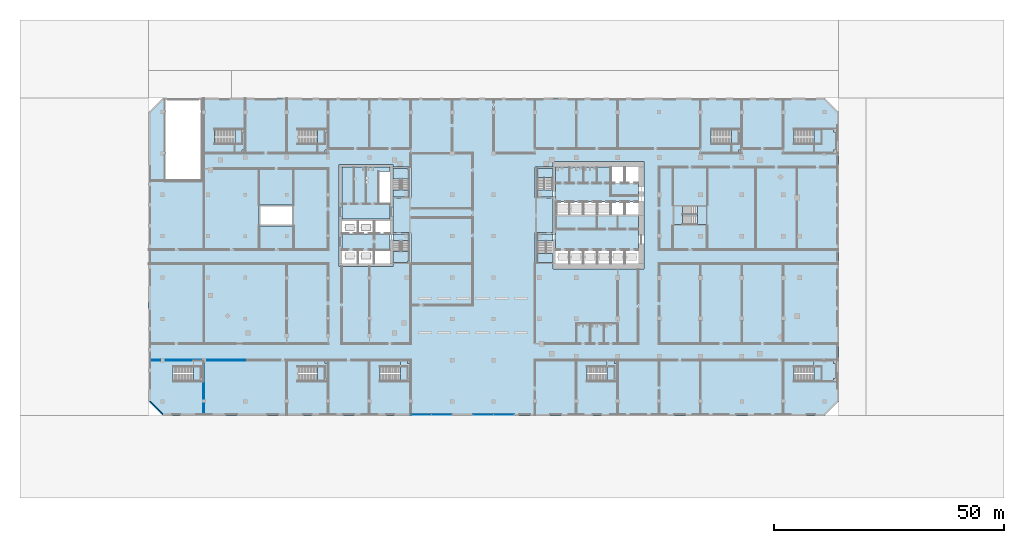
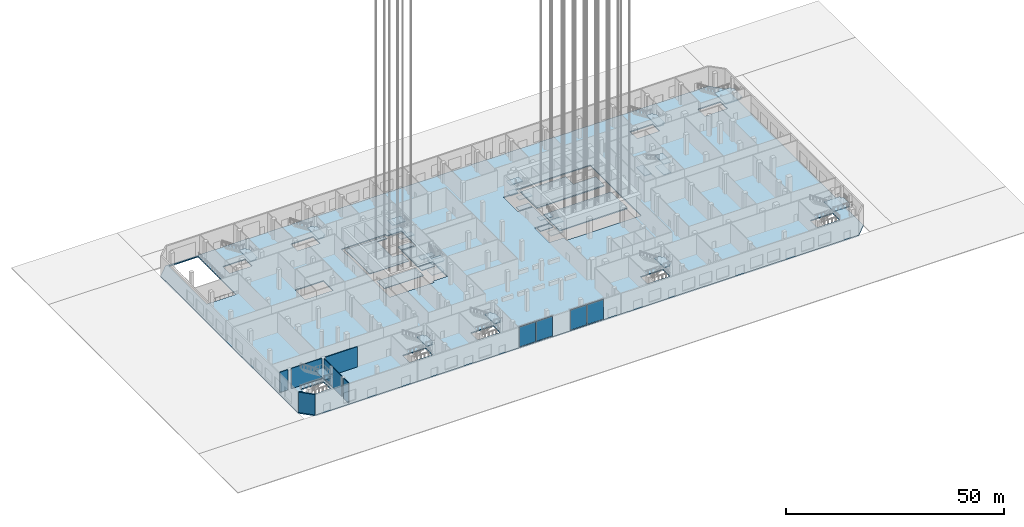
# One storey, part 32 of 55: 33 slabs, 6 walls, 4 plates, 16 elements without a shape of their own.
"""IFC4 building model written with IfcOpenShell, lengths in metres."""

from ifc_helpers import new_model, si_unit, direction, frame, frame_2d, origin, origin_2d, place, context, subcontext, project, spatial, polyline, rectangle, outline, extrude, material, layer, layer_set, type_object, element, aggregate, save


model = new_model("IFC4")

# Units and contexts
model_context = context("Model", 3, precision=1e-05, world=origin(), true_north=direction((0.0, 1.0)))
body_context = subcontext(model_context, "Body", "Model", "MODEL_VIEW")
ifc_project = project(units=[si_unit("LENGTHUNIT", "METRE"), si_unit("AREAUNIT", "SQUARE_METRE"), si_unit("VOLUMEUNIT", "CUBIC_METRE"), si_unit("PLANEANGLEUNIT", "RADIAN"), si_unit("MASSUNIT", "GRAM", prefix="KILO")], contexts=[model_context])

# Site, building, storey
site_placement = place(None, origin())
site = spatial("IfcSite", under=ifc_project, at=site_placement, CompositionType="ELEMENT")
building_placement = place(site_placement, origin())
building = spatial("IfcBuilding", under=site, at=building_placement, Name="Cinnabar Reach Civic Tower", CompositionType="ELEMENT")
storey_placement = place(building_placement, origin())
storey = spatial("IfcBuildingStorey", under=building, at=storey_placement, Name="L00", CompositionType="ELEMENT", Elevation=0.0)

# Curtain wall, plates
ifc_material_1 = material(Name="Aluminium and clear double glazing", Category="aluminium")
curtain_wall_type = type_object("IfcCurtainWallType", Name="Hall front curtain wall", PredefinedType="NOTDEFINED", material=ifc_material_1)
curtain_wall_1_placement = place(storey_placement, origin())
curtain_wall_1 = element("IfcCurtainWall", 1, at=curtain_wall_1_placement, inside=storey, type_object=curtain_wall_type, Name="Hall front 1", PredefinedType="NOTDEFINED")
ifc_material_2 = material(Name="Clear double glazing", Category="glass")
ifc_layer_1 = layer(ifc_material_2, 0.028)
ifc_layer_set_1 = layer_set([ifc_layer_1], Name="Hall front glazing panel")
plate_type = type_object("IfcPlateType", Name="Hall front glazing panel", PredefinedType="CURTAIN_PANEL", material=ifc_layer_set_1)
plate_1_placement = place(storey_placement, frame((-24.735, -11.82, 0.06), z_axis=(0.0, 0.0, 1.0), x_axis=(1.0, 0.0, 0.0)))
plate_1 = element("IfcPlate", 2, at=plate_1_placement, type_object=plate_type, Name="CW-HALL-1 panel 1.1", PredefinedType="CURTAIN_PANEL", context=body_context, shape_type="SweptSolid", body=[
    extrude(rectangle(XDim=4.41, YDim=0.028, at=origin_2d()), origin(), (0.0, 0.0, 1.0), 5.58),
])
plate_2_placement = place(storey_placement, frame((-20.265, -11.82, 0.06), z_axis=(0.0, 0.0, 1.0), x_axis=(1.0, 0.0, 0.0)))
plate_2 = element("IfcPlate", 3, at=plate_2_placement, type_object=plate_type, Name="CW-HALL-1 panel 2.1", PredefinedType="CURTAIN_PANEL", context=body_context, shape_type="SweptSolid", body=[
    extrude(rectangle(XDim=4.41, YDim=0.028, at=origin_2d()), origin(), (0.0, 0.0, 1.0), 5.58),
])
aggregate(curtain_wall_1, [plate_1, plate_2])

curtain_wall_2_placement = place(storey_placement, origin())
curtain_wall_2 = element("IfcCurtainWall", 4, at=curtain_wall_2_placement, inside=storey, type_object=curtain_wall_type, Name="Hall front 2", PredefinedType="NOTDEFINED")
plate_3_placement = place(storey_placement, frame((-11.235, -11.82, 0.06), z_axis=(0.0, 0.0, 1.0), x_axis=(1.0, 0.0, 0.0)))
plate_3 = element("IfcPlate", 5, at=plate_3_placement, type_object=plate_type, Name="CW-HALL-2 panel 1.1", PredefinedType="CURTAIN_PANEL", context=body_context, shape_type="SweptSolid", body=[
    extrude(rectangle(XDim=4.41, YDim=0.028, at=origin_2d()), origin(), (0.0, 0.0, 1.0), 5.58),
])
plate_4_placement = place(storey_placement, frame((-6.765, -11.82, 0.06), z_axis=(0.0, 0.0, 1.0), x_axis=(1.0, 0.0, 0.0)))
plate_4 = element("IfcPlate", 6, at=plate_4_placement, type_object=plate_type, Name="CW-HALL-2 panel 2.1", PredefinedType="CURTAIN_PANEL", context=body_context, shape_type="SweptSolid", body=[
    extrude(rectangle(XDim=4.41, YDim=0.028, at=origin_2d()), origin(), (0.0, 0.0, 1.0), 5.58),
])
aggregate(curtain_wall_2, [plate_3, plate_4])

# Stair, slab
ifc_material_3 = material(Name="Concrete C35", Category="concrete")
stair_type_1 = type_object("IfcStairType", Name="Podium exit stair 1500", PredefinedType="HALF_TURN_STAIR", material=ifc_material_3)
stair_1_placement = place(storey_placement, origin())
stair_1 = element("IfcStair", 7, at=stair_1_placement, inside=storey, type_object=stair_type_1, Name="Stair PS1", PredefinedType="HALF_TURN_STAIR")
ifc_material_4 = material(Name="Concrete C35/45", Category="concrete")
ifc_layer_2 = layer(ifc_material_4, 0.25)
ifc_layer_set_2 = layer_set([ifc_layer_2], Name="Podium exit stair landing 250")
slab_type_1 = type_object("IfcSlabType", Name="Podium exit stair landing 250", PredefinedType="LANDING", material=ifc_layer_set_2)
slab_1_placement = place(storey_placement, frame((0.0, 0.0, 2.75)))
slab_1 = element("IfcSlab", 8, at=slab_1_placement, type_object=slab_type_1, Name="PS1 landing 1", PredefinedType="LANDING", context=body_context, shape_type="SweptSolid", body=[
    extrude(outline(polyline([(-74.29, -4.55), (-74.29, -0.1), (-72.1, -0.1), (-72.1, -3.95), (-72.7, -3.95), (-72.7, -4.55), (-74.29, -4.55)])), origin(), (0.0, 0.0, 1.0), 0.25),
])
aggregate(stair_1, [slab_1])

stair_2_placement = place(storey_placement, origin())
stair_2 = element("IfcStair", 9, at=stair_2_placement, inside=storey, type_object=stair_type_1, Name="Stair PS2", PredefinedType="HALF_TURN_STAIR")
slab_2_placement = place(storey_placement, frame((0.0, 0.0, 2.75)))
slab_2 = element("IfcSlab", 10, at=slab_2_placement, type_object=slab_type_1, Name="PS2 landing 1", PredefinedType="LANDING", context=body_context, shape_type="SweptSolid", body=[
    extrude(outline(polyline([(-63.1, 45.7), (-63.7, 45.7), (-63.7, 45.1), (-65.29, 45.1), (-65.29, 50.25), (-63.7, 50.25), (-63.7, 49.65), (-63.1, 49.65), (-63.1, 45.7)])), origin(), (0.0, 0.0, 1.0), 0.25),
])
aggregate(stair_2, [slab_2])

stair_3_placement = place(storey_placement, origin())
stair_3 = element("IfcStair", 11, at=stair_3_placement, inside=storey, type_object=stair_type_1, Name="Stair PS3", PredefinedType="HALF_TURN_STAIR")
slab_3_placement = place(storey_placement, frame((0.0, 0.0, 2.75)))
slab_3 = element("IfcSlab", 12, at=slab_3_placement, type_object=slab_type_1, Name="PS3 landing 1", PredefinedType="LANDING", context=body_context, shape_type="SweptSolid", body=[
    extrude(outline(polyline([(17.9, -3.95), (17.3, -3.95), (17.3, -4.55), (15.71, -4.55), (15.71, -0.1), (17.3, -0.1), (17.3, -0.7), (17.9, -0.7), (17.9, -3.95)])), origin(), (0.0, 0.0, 1.0), 0.25),
])
aggregate(stair_3, [slab_3])

stair_4_placement = place(storey_placement, origin())
stair_4 = element("IfcStair", 13, at=stair_4_placement, inside=storey, type_object=stair_type_1, Name="Stair PS4", PredefinedType="HALF_TURN_STAIR")
slab_4_placement = place(storey_placement, frame((0.0, 0.0, 2.75)))
slab_4 = element("IfcSlab", 14, at=slab_4_placement, type_object=slab_type_1, Name="PS4 landing 1", PredefinedType="LANDING", context=body_context, shape_type="SweptSolid", body=[
    extrude(outline(polyline([(65.5, -3.95), (64.9, -3.95), (64.9, -4.55), (60.71, -4.55), (60.71, -0.1), (64.9, -0.1), (64.9, -0.7), (65.5, -0.7), (65.5, -3.95)])), origin(), (0.0, 0.0, 1.0), 0.25),
])
aggregate(stair_4, [slab_4])

stair_5_placement = place(storey_placement, origin())
stair_5 = element("IfcStair", 15, at=stair_5_placement, inside=storey, type_object=stair_type_1, Name="Stair PS5", PredefinedType="HALF_TURN_STAIR")
slab_5_placement = place(storey_placement, frame((0.0, 0.0, 2.75)))
slab_5 = element("IfcSlab", 16, at=slab_5_placement, type_object=slab_type_1, Name="PS5 landing 1", PredefinedType="LANDING", context=body_context, shape_type="SweptSolid", body=[
    extrude(outline(polyline([(65.5, 45.7), (64.9, 45.7), (64.9, 45.1), (60.71, 45.1), (60.71, 50.25), (64.9, 50.25), (64.9, 49.65), (65.5, 49.65), (65.5, 45.7)])), origin(), (0.0, 0.0, 1.0), 0.25),
])
aggregate(stair_5, [slab_5])

stair_6_placement = place(storey_placement, origin())
stair_6 = element("IfcStair", 17, at=stair_6_placement, inside=storey, type_object=stair_type_1, Name="Stair PS6", PredefinedType="HALF_TURN_STAIR")
slab_6_placement = place(storey_placement, frame((0.0, 0.0, 2.75)))
slab_6 = element("IfcSlab", 18, at=slab_6_placement, type_object=slab_type_1, Name="PS6 landing 1", PredefinedType="LANDING", context=body_context, shape_type="SweptSolid", body=[
    extrude(outline(polyline([(44.9, 45.7), (44.3, 45.7), (44.3, 45.1), (42.71, 45.1), (42.71, 50.25), (44.3, 50.25), (44.3, 49.65), (44.9, 49.65), (44.9, 45.7)])), origin(), (0.0, 0.0, 1.0), 0.25),
])
aggregate(stair_6, [slab_6])

stair_7_placement = place(storey_placement, origin())
stair_7 = element("IfcStair", 19, at=stair_7_placement, inside=storey, type_object=stair_type_1, Name="Stair PS7", PredefinedType="HALF_TURN_STAIR")
slab_7_placement = place(storey_placement, frame((0.0, 0.0, 2.75)))
slab_7 = element("IfcSlab", 20, at=slab_7_placement, type_object=slab_type_1, Name="PS7 landing 1", PredefinedType="LANDING", context=body_context, shape_type="SweptSolid", body=[
    extrude(outline(polyline([(-45.1, 45.7), (-45.7, 45.7), (-45.7, 45.1), (-47.29, 45.1), (-47.29, 50.25), (-45.7, 50.25), (-45.7, 49.65), (-45.1, 49.65), (-45.1, 45.7)])), origin(), (0.0, 0.0, 1.0), 0.25),
])
aggregate(stair_7, [slab_7])

stair_8_placement = place(storey_placement, origin())
stair_8 = element("IfcStair", 21, at=stair_8_placement, inside=storey, type_object=stair_type_1, Name="Stair PS8", PredefinedType="HALF_TURN_STAIR")
slab_8_placement = place(storey_placement, frame((0.0, 0.0, 2.75)))
slab_8 = element("IfcSlab", 22, at=slab_8_placement, type_object=slab_type_1, Name="PS8 landing 1", PredefinedType="LANDING", context=body_context, shape_type="SweptSolid", body=[
    extrude(outline(polyline([(-45.1, -3.95), (-45.7, -3.95), (-45.7, -4.55), (-47.29, -4.55), (-47.29, -0.1), (-45.7, -0.1), (-45.7, -0.7), (-45.1, -0.7), (-45.1, -3.95)])), origin(), (0.0, 0.0, 1.0), 0.25),
])
aggregate(stair_8, [slab_8])

stair_9_placement = place(storey_placement, origin())
stair_9 = element("IfcStair", 23, at=stair_9_placement, inside=storey, type_object=stair_type_1, Name="Stair PS9", PredefinedType="HALF_TURN_STAIR")
slab_9_placement = place(storey_placement, frame((0.0, 0.0, 2.75)))
slab_9 = element("IfcSlab", 24, at=slab_9_placement, type_object=slab_type_1, Name="PS9 landing 1", PredefinedType="LANDING", context=body_context, shape_type="SweptSolid", body=[
    extrude(outline(polyline([(-27.1, -3.95), (-27.7, -3.95), (-27.7, -4.55), (-29.29, -4.55), (-29.29, -0.1), (-27.7, -0.1), (-27.7, -0.7), (-27.1, -0.7), (-27.1, -3.95)])), origin(), (0.0, 0.0, 1.0), 0.25),
])
aggregate(stair_9, [slab_9])

# Slab
ifc_material_5 = material(Name="Concrete C40", Category="concrete")
ifc_layer_3 = layer(ifc_material_5, 0.3)
ifc_layer_set_3 = layer_set([ifc_layer_3], Name="Podium flat plate 300 REI 150")
slab_type_2 = type_object("IfcSlabType", Name="Podium flat plate 300 REI 150", PredefinedType="FLOOR", material=ifc_layer_set_3)
slab_10_placement = place(storey_placement, frame((0.0, 0.0, -0.3)))
element("IfcSlab", 25, at=slab_10_placement, inside=storey, type_object=slab_type_2, Name="Podium flat plate 300 L00", PredefinedType="FLOOR", context=body_context, shape_type="SweptSolid", body=[
    extrude(outline(polyline([(-84.0, -9.0), (-84.0, 54.0), (-81.0, 57.0), (63.0, 57.0), (66.0, 54.0), (66.0, -9.0), (63.0, -12.0), (-81.0, -12.0), (-84.0, -9.0)]), holes=[polyline([(-78.7, -1.3), (-78.7, -4.5), (-72.7, -4.5), (-72.7, -1.3), (-78.7, -1.3)]), polyline([(-45.7, -1.3), (-51.7, -1.3), (-51.7, -4.5), (-45.7, -4.5), (-45.7, -1.3)]), polyline([(-52.5, 33.75), (-60.0, 33.75), (-60.0, 29.25), (-52.5, 29.25), (-52.5, 33.75)]), polyline([(-30.9, 20.4), (-30.9, 21.0), (-27.0, 21.0), (-27.0, 27.75), (-30.9, 27.75), (-30.9, 35.25), (-27.0, 35.25), (-27.0, 42.0), (-30.9, 42.0), (-30.9, 42.6), (-42.6, 42.6), (-42.6, 20.4), (-30.9, 20.4)]), polyline([(-72.6, 56.6), (-80.4, 56.6), (-80.4, 39.0), (-72.6, 39.0), (-72.6, 56.6)]), polyline([(-63.7, 50.2), (-69.7, 50.2), (-69.7, 47.0), (-63.7, 47.0), (-63.7, 50.2)]), polyline([(-51.7, 50.2), (-51.7, 47.0), (-45.7, 47.0), (-45.7, 50.2), (-51.7, 50.2)]), polyline([(-27.7, -1.3), (-33.7, -1.3), (-33.7, -4.5), (-27.7, -4.5), (-27.7, -1.3)]), polyline([(17.3, -1.3), (11.3, -1.3), (11.3, -4.5), (17.3, -4.5), (17.3, -1.3)]), polyline([(62.3, -1.3), (56.3, -1.3), (56.3, -4.5), (62.3, -4.5), (62.3, -1.3)]), polyline([(3.9, 42.0), (0.0, 42.0), (0.0, 35.25), (3.9, 35.25), (3.9, 27.75), (0.0, 27.75), (0.0, 21.0), (3.9, 21.0), (3.9, 19.8), (23.7, 19.8), (23.7, 43.2), (3.9, 43.2), (3.9, 42.0)]), polyline([(44.3, 47.0), (44.3, 50.2), (38.3, 50.2), (38.3, 47.0), (44.3, 47.0)]), polyline([(62.3, 47.0), (62.3, 50.2), (56.3, 50.2), (56.3, 47.0), (62.3, 47.0)])]), origin(), (0.0, 0.0, 1.0), 0.3),
])

# Stair, slabs
ifc_material_6 = material(Name="Concrete C40/50", Category="concrete")
stair_type_2 = type_object("IfcStairType", Name="T1 Exit stair, double return", PredefinedType="DOUBLE_RETURN_STAIR", material=ifc_material_6)
stair_10_placement = place(storey_placement, origin())
stair_10 = element("IfcStair", 26, at=stair_10_placement, inside=storey, type_object=stair_type_2, Name="Stair T1-S1", PredefinedType="DOUBLE_RETURN_STAIR")
ifc_layer_4 = layer(ifc_material_6, 0.2)
ifc_layer_set_4 = layer_set([ifc_layer_4], Name="T1 Stair landing 200, Concrete C40/50")
slab_type_3 = type_object("IfcSlabType", Name="T1 Stair landing 200, Concrete C40/50", PredefinedType="LANDING", material=ifc_layer_set_4)
slab_11_placement = place(storey_placement, frame((0.0, 0.0, -0.2)))
slab_11 = element("IfcSlab", 27, at=slab_11_placement, type_object=slab_type_3, Name="T1-S1 landing 1", PredefinedType="LANDING", context=body_context, shape_type="SweptSolid", body=[
    extrude(outline(polyline([(3.9, 25.95), (3.9, 27.5), (0.5, 27.5), (0.5, 25.95), (3.9, 25.95)])), origin(), (0.0, 0.0, 1.0), 0.2),
])
slab_12_placement = place(storey_placement, frame((0.0, 0.0, 1.3)))
slab_12 = element("IfcSlab", 28, at=slab_12_placement, type_object=slab_type_3, Name="T1-S1 landing 2", PredefinedType="LANDING", context=body_context, shape_type="SweptSolid", body=[
    extrude(outline(polyline([(3.9, 21.25), (3.9, 23.205), (0.6, 23.205), (0.6, 21.25), (3.9, 21.25)])), origin(), (0.0, 0.0, 1.0), 0.2),
])
slab_13_placement = place(storey_placement, frame((0.0, 0.0, 2.8)))
slab_13 = element("IfcSlab", 29, at=slab_13_placement, type_object=slab_type_3, Name="T1-S1 landing 3", PredefinedType="LANDING", context=body_context, shape_type="SweptSolid", body=[
    extrude(outline(polyline([(3.9, 25.95), (3.9, 27.5), (0.5, 27.5), (0.5, 25.95), (3.9, 25.95)])), origin(), (0.0, 0.0, 1.0), 0.2),
])
slab_14_placement = place(storey_placement, frame((0.0, 0.0, 4.3)))
slab_14 = element("IfcSlab", 30, at=slab_14_placement, type_object=slab_type_3, Name="T1-S1 landing 4", PredefinedType="LANDING", context=body_context, shape_type="SweptSolid", body=[
    extrude(outline(polyline([(3.9, 21.25), (3.9, 23.205), (0.6, 23.205), (0.6, 21.25), (3.9, 21.25)])), origin(), (0.0, 0.0, 1.0), 0.2),
])
aggregate(stair_10, [slab_11, slab_12, slab_13, slab_14])

stair_11_placement = place(storey_placement, origin())
stair_11 = element("IfcStair", 31, at=stair_11_placement, inside=storey, type_object=stair_type_2, Name="Stair T1-S2", PredefinedType="DOUBLE_RETURN_STAIR")
slab_15_placement = place(storey_placement, frame((0.0, 0.0, -0.2)))
slab_15 = element("IfcSlab", 32, at=slab_15_placement, type_object=slab_type_3, Name="T1-S2 landing 1", PredefinedType="LANDING", context=body_context, shape_type="SweptSolid", body=[
    extrude(outline(polyline([(3.9, 35.5), (3.9, 37.05), (0.5, 37.05), (0.5, 35.5), (3.9, 35.5)])), origin(), (0.0, 0.0, 1.0), 0.2),
])
slab_16_placement = place(storey_placement, frame((0.0, 0.0, 1.3)))
slab_16 = element("IfcSlab", 33, at=slab_16_placement, type_object=slab_type_3, Name="T1-S2 landing 2", PredefinedType="LANDING", context=body_context, shape_type="SweptSolid", body=[
    extrude(outline(polyline([(3.9, 39.795), (3.9, 41.75), (0.6, 41.75), (0.6, 39.795), (3.9, 39.795)])), origin(), (0.0, 0.0, 1.0), 0.2),
])
slab_17_placement = place(storey_placement, frame((0.0, 0.0, 2.8)))
slab_17 = element("IfcSlab", 34, at=slab_17_placement, type_object=slab_type_3, Name="T1-S2 landing 3", PredefinedType="LANDING", context=body_context, shape_type="SweptSolid", body=[
    extrude(outline(polyline([(3.9, 35.5), (3.9, 37.05), (0.5, 37.05), (0.5, 35.5), (3.9, 35.5)])), origin(), (0.0, 0.0, 1.0), 0.2),
])
slab_18_placement = place(storey_placement, frame((0.0, 0.0, 4.3)))
slab_18 = element("IfcSlab", 35, at=slab_18_placement, type_object=slab_type_3, Name="T1-S2 landing 4", PredefinedType="LANDING", context=body_context, shape_type="SweptSolid", body=[
    extrude(outline(polyline([(3.9, 39.795), (3.9, 41.75), (0.6, 41.75), (0.6, 39.795), (3.9, 39.795)])), origin(), (0.0, 0.0, 1.0), 0.2),
])
aggregate(stair_11, [slab_15, slab_16, slab_17, slab_18])

stair_12_placement = place(storey_placement, origin())
stair_12 = element("IfcStair", 36, at=stair_12_placement, inside=storey, type_object=stair_type_2, Name="Stair T1-S3", PredefinedType="DOUBLE_RETURN_STAIR")
slab_19_placement = place(storey_placement, frame((0.0, 0.0, 1.3)))
slab_19 = element("IfcSlab", 37, at=slab_19_placement, type_object=slab_type_3, Name="T1-S3 landing 1", PredefinedType="LANDING", context=body_context, shape_type="SweptSolid", body=[
    extrude(outline(polyline([(35.29, 29.5), (37.25, 29.5), (37.25, 33.5), (35.29, 33.5), (35.29, 29.5)])), origin(), (0.0, 0.0, 1.0), 0.2),
])
slab_20_placement = place(storey_placement, frame((0.0, 0.0, 2.8)))
slab_20 = element("IfcSlab", 38, at=slab_20_placement, type_object=slab_type_3, Name="T1-S3 landing 2", PredefinedType="LANDING", context=body_context, shape_type="SweptSolid", body=[
    extrude(outline(polyline([(30.25, 29.5), (32.05, 29.5), (32.05, 33.5), (30.25, 33.5), (30.25, 29.5)])), origin(), (0.0, 0.0, 1.0), 0.2),
])
slab_21_placement = place(storey_placement, frame((0.0, 0.0, 4.3)))
slab_21 = element("IfcSlab", 39, at=slab_21_placement, type_object=slab_type_3, Name="T1-S3 landing 3", PredefinedType="LANDING", context=body_context, shape_type="SweptSolid", body=[
    extrude(outline(polyline([(35.29, 29.5), (37.25, 29.5), (37.25, 33.5), (35.29, 33.5), (35.29, 29.5)])), origin(), (0.0, 0.0, 1.0), 0.2),
])
aggregate(stair_12, [slab_19, slab_20, slab_21])

# Slabs
ifc_layer_5 = layer(ifc_material_6, 0.3)
ifc_layer_set_5 = layer_set([ifc_layer_5], Name="T1 core floor slab 300")
slab_type_4 = type_object("IfcSlabType", Name="T1 core floor slab 300", PredefinedType="FLOOR", material=ifc_layer_set_5)
slab_22_placement = place(storey_placement, frame((0.0, 0.0, -0.3)))
element("IfcSlab", 40, at=slab_22_placement, inside=storey, type_object=slab_type_4, Name="Core floor slab L00", PredefinedType="FLOOR", context=body_context, shape_type="SweptSolid", body=[
    extrude(outline(polyline([(22.5, 24.0), (19.5, 24.0), (16.5, 24.0), (13.5, 24.0), (10.5, 24.0), (7.5, 24.0), (4.5, 24.0), (4.5, 31.5), (7.5, 31.5), (10.5, 31.5), (13.5, 31.5), (16.5, 31.5), (19.5, 31.5), (22.5, 31.5), (22.5, 24.0)])), origin(), (0.0, 0.0, 1.0), 0.3),
])
slab_23_placement = place(storey_placement, frame((0.0, 0.0, -0.3)))
element("IfcSlab", 41, at=slab_23_placement, inside=storey, type_object=slab_type_4, Name="Core floor slab L00", PredefinedType="FLOOR", context=body_context, shape_type="SweptSolid", body=[
    extrude(outline(polyline([(22.5, 34.5), (19.5, 34.5), (16.5, 34.5), (13.5, 34.5), (10.5, 34.5), (7.5, 34.5), (4.5, 34.5), (4.5, 42.0), (16.5, 42.0), (16.5, 38.5), (19.5, 38.5), (22.5, 38.5), (22.5, 34.5)])), origin(), (0.0, 0.0, 1.0), 0.3),
])
ifc_layer_6 = layer(ifc_material_5, 0.15)
ifc_layer_set_6 = layer_set([ifc_layer_6], Name="T2 Core floor slab 150")
slab_type_5 = type_object("IfcSlabType", Name="T2 Core floor slab 150", PredefinedType="FLOOR", material=ifc_layer_set_6)
slab_24_placement = place(storey_placement, frame((0.0, 0.0, -0.15)))
element("IfcSlab", 42, at=slab_24_placement, inside=storey, type_object=slab_type_5, Name="Core floor slab L00", PredefinedType="FLOOR", context=body_context, shape_type="SweptSolid", body=[
    extrude(outline(polyline([(-42.0, 42.0), (-31.5, 42.0), (-31.5, 41.0), (-34.0, 41.0), (-34.0, 34.0), (-31.5, 34.0), (-31.5, 30.75), (-42.0, 30.75), (-42.0, 42.0)])), origin(), (0.0, 0.0, 1.0), 0.15),
])
slab_25_placement = place(storey_placement, frame((0.0, 0.0, -0.15)))
element("IfcSlab", 43, at=slab_25_placement, inside=storey, type_object=slab_type_5, Name="Core floor slab L00", PredefinedType="FLOOR", context=body_context, shape_type="SweptSolid", body=[
    extrude(outline(polyline([(-35.0, 24.0), (-38.5, 24.0), (-42.0, 24.0), (-42.0, 27.5), (-38.5, 27.5), (-35.0, 27.5), (-31.5, 27.5), (-31.5, 24.0), (-35.0, 24.0)])), origin(), (0.0, 0.0, 1.0), 0.15),
])

# Stair, slabs
stair_type_3 = type_object("IfcStairType", Name="T2 Exit stair 1500", PredefinedType="HALF_TURN_STAIR", material=ifc_material_5)
stair_13_placement = place(storey_placement, origin())
stair_13 = element("IfcStair", 44, at=stair_13_placement, inside=storey, type_object=stair_type_3, Name="Exit stair 1", PredefinedType="HALF_TURN_STAIR")
ifc_layer_7 = layer(ifc_material_5, 0.2)
ifc_layer_set_7 = layer_set([ifc_layer_7], Name="T2 Stair landing 200")
slab_type_6 = type_object("IfcSlabType", Name="T2 Stair landing 200", PredefinedType="LANDING", material=ifc_layer_set_7)
slab_26_placement = place(storey_placement, frame((0.0, 0.0, -0.2)))
slab_26 = element("IfcSlab", 45, at=slab_26_placement, type_object=slab_type_6, Name="ST1 landing 1", PredefinedType="LANDING", context=body_context, shape_type="SweptSolid", body=[
    extrude(outline(polyline([(-30.9, 26.0), (-30.9, 27.5), (-27.4, 27.5), (-27.4, 26.0), (-30.9, 26.0)])), origin(), (0.0, 0.0, 1.0), 0.2),
])
slab_27_placement = place(storey_placement, frame((0.0, 0.0, 1.3)))
slab_27 = element("IfcSlab", 46, at=slab_27_placement, type_object=slab_type_6, Name="ST1 landing 2", PredefinedType="LANDING", context=body_context, shape_type="SweptSolid", body=[
    extrude(outline(polyline([(-30.9, 21.25), (-30.9, 23.6), (-27.4, 23.6), (-27.4, 21.55), (-27.7, 21.55), (-27.7, 21.25), (-30.9, 21.25)])), origin(), (0.0, 0.0, 1.0), 0.2),
])
slab_28_placement = place(storey_placement, frame((0.0, 0.0, 2.8)))
slab_28 = element("IfcSlab", 47, at=slab_28_placement, type_object=slab_type_6, Name="ST1 landing 3", PredefinedType="LANDING", context=body_context, shape_type="SweptSolid", body=[
    extrude(outline(polyline([(-30.9, 26.0), (-30.9, 27.5), (-27.4, 27.5), (-27.4, 26.0), (-30.9, 26.0)])), origin(), (0.0, 0.0, 1.0), 0.2),
])
slab_29_placement = place(storey_placement, frame((0.0, 0.0, 4.3)))
slab_29 = element("IfcSlab", 48, at=slab_29_placement, type_object=slab_type_6, Name="ST1 landing 4", PredefinedType="LANDING", context=body_context, shape_type="SweptSolid", body=[
    extrude(outline(polyline([(-30.9, 21.25), (-30.9, 23.6), (-27.4, 23.6), (-27.4, 21.55), (-27.7, 21.55), (-27.7, 21.25), (-30.9, 21.25)])), origin(), (0.0, 0.0, 1.0), 0.2),
])
aggregate(stair_13, [slab_26, slab_27, slab_28, slab_29])

stair_14_placement = place(storey_placement, origin())
stair_14 = element("IfcStair", 49, at=stair_14_placement, inside=storey, type_object=stair_type_3, Name="Exit stair 2", PredefinedType="HALF_TURN_STAIR")
slab_30_placement = place(storey_placement, frame((0.0, 0.0, -0.2)))
slab_30 = element("IfcSlab", 50, at=slab_30_placement, type_object=slab_type_6, Name="ST2 landing 1", PredefinedType="LANDING", context=body_context, shape_type="SweptSolid", body=[
    extrude(outline(polyline([(-30.9, 35.5), (-30.9, 37.0), (-27.4, 37.0), (-27.4, 35.5), (-30.9, 35.5)])), origin(), (0.0, 0.0, 1.0), 0.2),
])
slab_31_placement = place(storey_placement, frame((0.0, 0.0, 1.3)))
slab_31 = element("IfcSlab", 51, at=slab_31_placement, type_object=slab_type_6, Name="ST2 landing 2", PredefinedType="LANDING", context=body_context, shape_type="SweptSolid", body=[
    extrude(outline(polyline([(-27.4, 39.4), (-30.9, 39.4), (-30.9, 41.75), (-27.7, 41.75), (-27.7, 41.45), (-27.4, 41.45), (-27.4, 39.4)])), origin(), (0.0, 0.0, 1.0), 0.2),
])
slab_32_placement = place(storey_placement, frame((0.0, 0.0, 2.8)))
slab_32 = element("IfcSlab", 52, at=slab_32_placement, type_object=slab_type_6, Name="ST2 landing 3", PredefinedType="LANDING", context=body_context, shape_type="SweptSolid", body=[
    extrude(outline(polyline([(-30.9, 35.5), (-30.9, 37.0), (-27.4, 37.0), (-27.4, 35.5), (-30.9, 35.5)])), origin(), (0.0, 0.0, 1.0), 0.2),
])
slab_33_placement = place(storey_placement, frame((0.0, 0.0, 4.3)))
slab_33 = element("IfcSlab", 53, at=slab_33_placement, type_object=slab_type_6, Name="ST2 landing 4", PredefinedType="LANDING", context=body_context, shape_type="SweptSolid", body=[
    extrude(outline(polyline([(-27.4, 39.4), (-30.9, 39.4), (-30.9, 41.75), (-27.7, 41.75), (-27.7, 41.45), (-27.4, 41.45), (-27.4, 39.4)])), origin(), (0.0, 0.0, 1.0), 0.2),
])
aggregate(stair_14, [slab_30, slab_31, slab_32, slab_33])

# Walls
ifc_material_7 = material(Name="Facing brick with insulated backing", Category="masonry")
ifc_layer_8 = layer(ifc_material_7, 0.36)
ifc_layer_set_8 = layer_set([ifc_layer_8], Name="Brick corner wall")
wall_type_1 = type_object("IfcWallType", Name="Brick corner wall", PredefinedType="STANDARD", material=ifc_layer_set_8)
wall_1_placement = place(storey_placement, frame((-83.7843, -8.9611, 0.0), z_axis=(0.0, 0.0, 1.0), x_axis=(0.707106781187, -0.707106781187, 0.0)))
element("IfcWall", 54, at=wall_1_placement, inside=storey, type_object=wall_type_1, Name="Brick corner wall", PredefinedType="STANDARD", context=body_context, shape_type="SweptSolid", body=[
    extrude(rectangle(XDim=3.9926, YDim=0.36, at=frame_2d((1.9963, 0.0))), origin(), (0.0, 0.0, 1.0), 5.7),
])
ifc_material_8 = material(Name="Concrete blockwork", Category="masonry")
ifc_layer_9 = layer(ifc_material_8, 0.2)
ifc_layer_set_9 = layer_set([ifc_layer_9], Name="Podium masonry corridor wall 200 EI 120")
wall_type_2 = type_object("IfcWallType", Name="Podium masonry corridor wall 200 EI 120", PredefinedType="PARTITIONING", material=ifc_layer_set_9)
wall_2_placement = place(storey_placement, frame((-71.53, 0.0, 0.0), z_axis=(0.0, 0.0, 1.0), x_axis=(1.0, 0.0, 0.0)))
element("IfcWall", 55, at=wall_2_placement, inside=storey, type_object=wall_type_2, Name="Wall L00 78", PredefinedType="PARTITIONING", context=body_context, shape_type="SweptSolid", body=[
    extrude(rectangle(XDim=8.53, YDim=0.2, at=frame_2d((4.265, 0.0))), origin(), (0.0, 0.0, 1.0), 5.7),
])
ifc_layer_10 = layer(ifc_material_5, 0.2)
ifc_layer_set_10 = layer_set([ifc_layer_10], Name="Podium stair shaft wall 200 EI 120")
wall_type_3 = type_object("IfcWallType", Name="Podium stair shaft wall 200 EI 120", PredefinedType="SOLIDWALL", material=ifc_layer_set_10)
wall_3_placement = place(storey_placement, frame((-83.6, 0.0, 0.0), z_axis=(0.0, 0.0, 1.0), x_axis=(1.0, 0.0, 0.0)))
element("IfcWall", 56, at=wall_3_placement, inside=storey, type_object=wall_type_3, Name="Wall L00 1", PredefinedType="SOLIDWALL", context=body_context, shape_type="SweptSolid", body=[
    extrude(rectangle(XDim=2.13, YDim=0.2, at=frame_2d((1.065, 0.0))), origin(), (0.0, 0.0, 1.0), 5.7),
])
wall_4_placement = place(storey_placement, frame((-80.53, 0.0, 0.0), z_axis=(0.0, 0.0, 1.0), x_axis=(1.0, 0.0, 0.0)))
element("IfcWall", 57, at=wall_4_placement, inside=storey, type_object=wall_type_3, Name="Wall L00 2", PredefinedType="SOLIDWALL", context=body_context, shape_type="SweptSolid", body=[
    extrude(rectangle(XDim=8.06, YDim=0.2, at=frame_2d((4.03, 0.0))), origin(), (0.0, 0.0, 1.0), 5.7),
])
wall_5_placement = place(storey_placement, frame((-72.0, -11.6, 0.0), z_axis=(0.0, 0.0, 1.0), x_axis=(0.0, 1.0, 0.0)))
element("IfcWall", 58, at=wall_5_placement, inside=storey, type_object=wall_type_3, Name="Wall L00 3", PredefinedType="SOLIDWALL", context=body_context, shape_type="SweptSolid", body=[
    extrude(rectangle(XDim=2.13, YDim=0.2, at=frame_2d((1.065, 0.0))), origin(), (0.0, 0.0, 1.0), 5.7),
])
wall_6_placement = place(storey_placement, frame((-72.0, -8.53, 0.0), z_axis=(0.0, 0.0, 1.0), x_axis=(0.0, 1.0, 0.0)))
element("IfcWall", 59, at=wall_6_placement, inside=storey, type_object=wall_type_3, Name="Wall L00 4", PredefinedType="SOLIDWALL", context=body_context, shape_type="SweptSolid", body=[
    extrude(rectangle(XDim=8.06, YDim=0.2, at=frame_2d((4.03, 0.0))), origin(), (0.0, 0.0, 1.0), 5.7),
])

save(model, "model.ifc")
